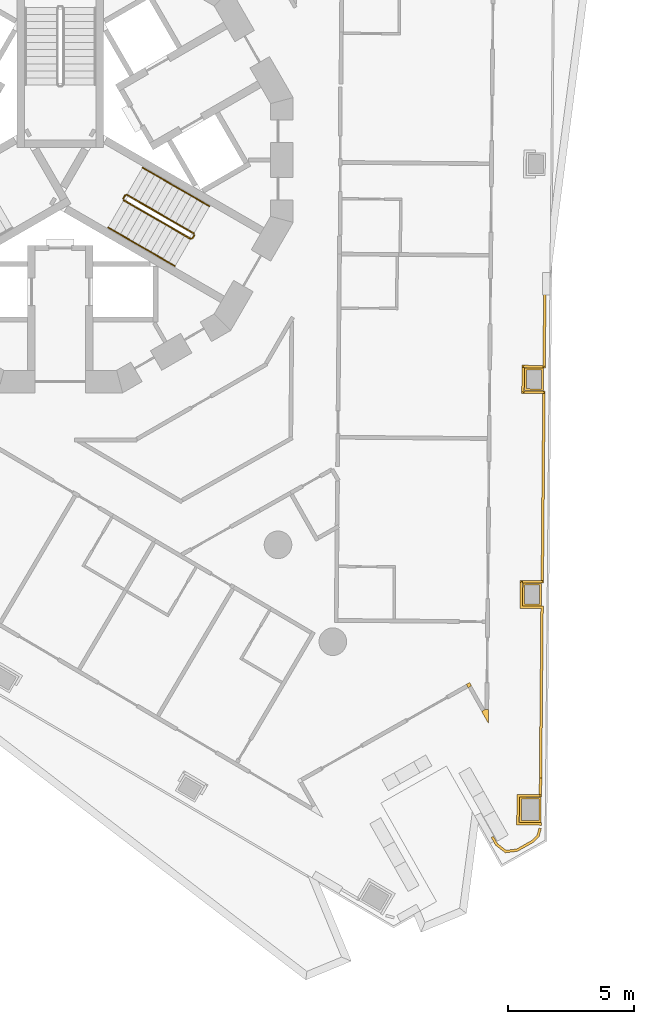
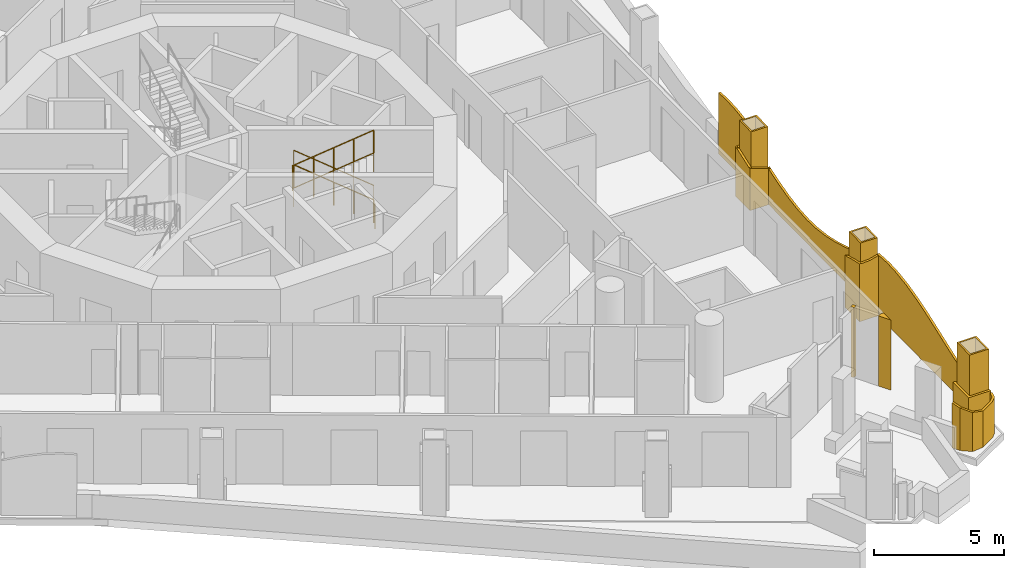
# One storey, part 13 of 18: 10 railings, 5 coverings.
"""IFC4 building model written with IfcOpenShell, lengths in metres."""

from ifc_helpers import new_model, si_unit, direction, frame, origin, origin_2d, place, context, subcontext, project, spatial, polyline, circle, outline, extrude, material, layer, layer_set, type_object, element, save


model = new_model("IFC4")

# Units and contexts
model_context = context("Model", 3, precision=1e-05, world=origin(), true_north=direction((0.0, 1.0)))
body_context = subcontext(model_context, "Body", "Model", "MODEL_VIEW")
ifc_project = project(units=[si_unit("LENGTHUNIT", "METRE"), si_unit("AREAUNIT", "SQUARE_METRE"), si_unit("VOLUMEUNIT", "CUBIC_METRE"), si_unit("PLANEANGLEUNIT", "RADIAN"), si_unit("MASSUNIT", "GRAM", prefix="KILO")], contexts=[model_context])

# Site, building, storey
site_placement = place(None, origin())
site = spatial("IfcSite", under=ifc_project, at=site_placement, CompositionType="ELEMENT")
building_placement = place(site_placement, origin())
building = spatial("IfcBuilding", under=site, at=building_placement, Name="Trine Commons Tower", CompositionType="ELEMENT")
storey_placement = place(building_placement, frame((0.0, 0.0, 161.10009765625)))
storey = spatial("IfcBuildingStorey", under=building, at=storey_placement, Name="L41", CompositionType="ELEMENT", Elevation=161.10009765625)

# Coverings
ifc_material_1 = material(Name="Aluminium-framed insulated wall panel", Category="aluminium")
ifc_layer_1 = layer(ifc_material_1, 0.14990234375)
ifc_layer_set_1 = layer_set([ifc_layer_1], Name="Aluminium-framed insulated wall panel")
covering_type_1 = type_object("IfcCoveringType", Name="Glazing corner post, aluminium", PredefinedType="CLADDING", material=ifc_layer_set_1)
covering_1_placement = place(storey_placement, origin())
element("IfcCovering", 1, at=covering_1_placement, inside=storey, type_object=covering_type_1, Name="Glazing corner post 5-09", PredefinedType="CLADDING", context=body_context, shape_type="SweptSolid", body=[
    extrude(outline(polyline([(96.776611328125, 40.5439453125), (97.05224609375, 40.056640625), (97.05712890625, 40.616455078125), (96.9072265625, 40.617919921875), (96.9072265625, 40.617919921875), (96.776611328125, 40.5439453125)])), origin(), (0.0, 0.0, 1.0), 3.2998046875),
])
covering_2_placement = place(storey_placement, origin())
element("IfcCovering", 2, at=covering_2_placement, inside=storey, type_object=covering_type_1, Name="Glazing corner post 5-10", PredefinedType="CLADDING", context=body_context, shape_type="SweptSolid", body=[
    extrude(outline(polyline([(96.168212890625, 41.619384765625), (96.241943359375, 41.489013671875), (96.37255859375, 41.562744140625), (96.298583984375, 41.693359375), (96.168212890625, 41.619384765625)])), origin(), (0.0, 0.0, 1.0), 3.2998046875),
])
ifc_material_2 = material(Name="Limestone, honed", Category="masonry")
ifc_layer_2 = layer(ifc_material_2, 0.074951171875)
ifc_layer_set_2 = layer_set([ifc_layer_2], Name="Limestone, honed")
covering_type_2 = type_object("IfcCoveringType", Name="Limestone column cladding 75", PredefinedType="CLADDING", material=ifc_layer_set_2)
covering_3_placement = place(storey_placement, origin())
element("IfcCovering", 3, at=covering_3_placement, inside=storey, type_object=covering_type_2, Name="Limestone pier cladding 5-19", PredefinedType="CLADDING", context=body_context, shape_type="SweptSolid", body=[
    extrude(outline(polyline([(99.240966796875, 54.211181640625), (98.490966796875, 54.2177734375), (98.483154296875, 53.31787109375), (99.233154296875, 53.311279296875), (99.240966796875, 54.211181640625)]), holes=[polyline([(99.165283203125, 54.136962890625), (98.565185546875, 54.14208984375), (98.55859375, 53.39208984375), (99.15869140625, 53.386962890625), (99.165283203125, 54.136962890625)])]), origin(), (0.0, 0.0, 1.0), 3.599853515625),
])
covering_4_placement = place(storey_placement, origin())
element("IfcCovering", 4, at=covering_4_placement, inside=storey, type_object=covering_type_2, Name="Limestone pier cladding 5-20", PredefinedType="CLADDING", context=body_context, shape_type="SweptSolid", body=[
    extrude(outline(polyline([(99.166015625, 45.640869140625), (98.416015625, 45.6474609375), (98.408203125, 44.74755859375), (99.158203125, 44.740966796875), (99.166015625, 45.640869140625)]), holes=[polyline([(99.090576171875, 45.566650390625), (98.490478515625, 45.57177734375), (98.48388671875, 44.82177734375), (99.083984375, 44.816650390625), (99.090576171875, 45.566650390625)])]), origin(), (0.0, 0.0, 1.0), 3.599853515625),
])
covering_5_placement = place(storey_placement, origin())
element("IfcCovering", 5, at=covering_5_placement, inside=storey, type_object=covering_type_2, Name="Limestone pier cladding 5-21", PredefinedType="CLADDING", context=body_context, shape_type="SweptSolid", body=[
    extrude(outline(polyline([(99.1416015625, 37.1201171875), (98.291748046875, 37.127685546875), (98.283203125, 36.127685546875), (99.133056640625, 36.1201171875), (99.1416015625, 37.1201171875)]), holes=[polyline([(99.066162109375, 37.0458984375), (98.3662109375, 37.052001953125), (98.358642578125, 36.201904296875), (99.05859375, 36.19580078125), (99.066162109375, 37.0458984375)])]), origin(), (0.0, 0.0, 1.0), 3.599853515625),
])

# Railings
ifc_material_3 = material(Name="Stainless steel balustrade", Category="steel")
railing_type_1 = type_object("IfcRailingType", Name="Stair guard, steel balustrade 1100", PredefinedType="GUARDRAIL", material=ifc_material_3)
railing_1_placement = place(storey_placement, frame((85.31982421875, 59.572998046875, 0.14990234375)))
element("IfcRailing", 6, at=railing_1_placement, inside=storey, type_object=railing_type_1, Name="L41 ST3B stair guard 1", PredefinedType="GUARDRAIL", context=body_context, shape_type="SweptSolid", body=[
    extrude(circle(Radius=0.02392578125, at=origin_2d()), frame((0.0, 0.0, 1.076171875), z_axis=(-0.76340495495, 0.440743040072, 0.472184759798), x_axis=(-0.499992328818, -0.866029832698, 0.0)), (0.0, 0.0, 1.0), 3.494140625),
    extrude(circle(Radius=0.02099609375, at=origin_2d()), origin(), (0.0, 0.0, 1.0), 1.052001953125),
    extrude(circle(Radius=0.02099609375, at=origin_2d()), frame((-0.6669921875, 0.385009765625, 0.41259765625)), (0.0, 0.0, 1.0), 1.052001953125),
    extrude(circle(Radius=0.02099609375, at=origin_2d()), frame((-1.333740234375, 0.77001953125, 0.824951171875)), (0.0, 0.0, 1.0), 1.052001953125),
    extrude(circle(Radius=0.02099609375, at=origin_2d()), frame((-2.00048828125, 1.155029296875, 1.2373046875)), (0.0, 0.0, 1.0), 1.052001953125),
    extrude(circle(Radius=0.02099609375, at=origin_2d()), frame((-2.66748046875, 1.5400390625, 1.64990234375)), (0.0, 0.0, 1.0), 1.052001953125),
])
railing_2_placement = place(storey_placement, frame((82.584228515625, 61.0947265625, 1.7998046875)))
element("IfcRailing", 7, at=railing_2_placement, inside=storey, type_object=railing_type_1, Name="L41 ST3B stair guard 2", PredefinedType="GUARDRAIL", context=body_context, shape_type="SweptSolid", body=[
    extrude(circle(Radius=0.02392578125, at=origin_2d()), frame((0.0, 0.0, 1.076171875), z_axis=(-0.501036270542, -0.865426285481, 0.0), x_axis=(0.865426285481, -0.501036270542, 0.0)), (0.0, 0.0, 1.0), 0.150146484375),
    extrude(circle(Radius=0.02099609375, at=origin_2d()), origin(), (0.0, 0.0, 1.0), 1.052001953125),
    extrude(circle(Radius=0.02099609375, at=origin_2d()), frame((-0.0751953125, -0.1298828125, 0.0)), (0.0, 0.0, 1.0), 1.052001953125),
])
railing_3_placement = place(storey_placement, frame((82.52734375, 60.896484375, 1.949951171875)))
element("IfcRailing", 8, at=railing_3_placement, inside=storey, type_object=railing_type_1, Name="L41 ST3B stair guard 3", PredefinedType="GUARDRAIL", context=body_context, shape_type="SweptSolid", body=[
    extrude(circle(Radius=0.02392578125, at=origin_2d()), frame((0.0, 0.0, 1.076171875), z_axis=(0.76340495495, -0.440743040072, 0.472184759798), x_axis=(0.499992328818, 0.866029832698, 0.0)), (0.0, 0.0, 1.0), 3.494140625),
    extrude(circle(Radius=0.02099609375, at=origin_2d()), origin(), (0.0, 0.0, 1.0), 1.052001953125),
    extrude(circle(Radius=0.02099609375, at=origin_2d()), frame((0.6669921875, -0.385009765625, 0.41259765625)), (0.0, 0.0, 1.0), 1.052001953125),
    extrude(circle(Radius=0.02099609375, at=origin_2d()), frame((1.333740234375, -0.77001953125, 0.824951171875)), (0.0, 0.0, 1.0), 1.052001953125),
    extrude(circle(Radius=0.02099609375, at=origin_2d()), frame((2.00048828125, -1.155029296875, 1.2373046875)), (0.0, 0.0, 1.0), 1.052001953125),
    extrude(circle(Radius=0.02099609375, at=origin_2d()), frame((2.66748046875, -1.5400390625, 1.64990234375)), (0.0, 0.0, 1.0), 1.052001953125),
])
railing_4_placement = place(storey_placement, frame((85.338134765625, 59.504638671875, 0.0)))
element("IfcRailing", 9, at=railing_4_placement, inside=storey, type_object=railing_type_1, Name="L41 ST3B stair guard 4", PredefinedType="GUARDRAIL", context=body_context, shape_type="SweptSolid", body=[
    extrude(circle(Radius=0.02392578125, at=origin_2d()), frame((0.0, 0.0, 1.076171875), z_axis=(-0.499816412211, -0.866131372301, 0.0), x_axis=(0.866131372301, -0.499816412211, 0.0)), (0.0, 0.0, 1.0), 0.14990234375),
    extrude(circle(Radius=0.02099609375, at=origin_2d()), origin(), (0.0, 0.0, 1.0), 1.052001953125),
    extrude(circle(Radius=0.02099609375, at=origin_2d()), frame((-0.074951171875, -0.1298828125, 0.0)), (0.0, 0.0, 1.0), 1.052001953125),
])
ifc_material_4 = material(Name="Stainless steel handrail", Category="steel")
railing_type_2 = type_object("IfcRailingType", Name="Stair handrail, steel 900", PredefinedType="HANDRAIL", material=ifc_material_4)
for number, where, name in (
    (10, (85.94482421875, 60.655517578125, 0.14990234375), "L41 ST3B stair handrail 1"),
    (11, (84.611083984375, 61.425537109375, 0.974853515625), "L41 ST3B stair handrail 2"),
):
    element("IfcRailing", number, at=place(storey_placement, frame(where)), inside=storey, type_object=railing_type_2, Name=name, PredefinedType="HANDRAIL", context=body_context, shape_type="SweptSolid", body=[
        extrude(circle(Radius=0.02099609375, at=origin_2d()), frame((0.0, 0.0, 0.87890625), z_axis=(-0.76340495495, 0.440743040072, 0.472184759798), x_axis=(-0.499992328818, -0.866029832698, 0.0)), (0.0, 0.0, 1.0), 1.7470703125),
        extrude(circle(Radius=0.01513671875, at=origin_2d()), origin(), (0.0, 0.0, 1.0), 0.85791015625),
        extrude(circle(Radius=0.01513671875, at=origin_2d()), frame((-0.6669921875, 0.385009765625, 0.41259765625)), (0.0, 0.0, 1.0), 0.85791015625),
        extrude(circle(Radius=0.01513671875, at=origin_2d()), frame((-1.333740234375, 0.77001953125, 0.824951171875)), (0.0, 0.0, 1.0), 0.85791015625),
    ])
for number, where, name in (
    (12, (81.90234375, 59.81396484375, 1.949951171875), "L41 ST3B stair handrail 3"),
    (13, (83.236083984375, 59.0439453125, 2.77490234375), "L41 ST3B stair handrail 4"),
):
    element("IfcRailing", number, at=place(storey_placement, frame(where)), inside=storey, type_object=railing_type_2, Name=name, PredefinedType="HANDRAIL", context=body_context, shape_type="SweptSolid", body=[
        extrude(circle(Radius=0.02099609375, at=origin_2d()), frame((0.0, 0.0, 0.87890625), z_axis=(0.76340495495, -0.440743040072, 0.472184759798), x_axis=(0.499992328818, 0.866029832698, 0.0)), (0.0, 0.0, 1.0), 1.7470703125),
        extrude(circle(Radius=0.01513671875, at=origin_2d()), origin(), (0.0, 0.0, 1.0), 0.85791015625),
        extrude(circle(Radius=0.01513671875, at=origin_2d()), frame((0.6669921875, -0.385009765625, 0.41259765625)), (0.0, 0.0, 1.0), 0.85791015625),
        extrude(circle(Radius=0.01513671875, at=origin_2d()), frame((1.333740234375, -0.77001953125, 0.824951171875)), (0.0, 0.0, 1.0), 0.85791015625),
    ])
ifc_material_5 = material(Name="White powder-coated aluminium", Category="aluminium")
ifc_layer_3 = layer(ifc_material_5, 0.10009765625)
ifc_layer_set_3 = layer_set([ifc_layer_3], Name="White powder-coated aluminium")
railing_type_3 = type_object("IfcRailingType", Name="White balustrade band 100", PredefinedType="GUARDRAIL", material=ifc_layer_set_3)
railing_5_placement = place(storey_placement, origin())
element("IfcRailing", 14, at=railing_5_placement, inside=storey, type_object=railing_type_3, Name="Guard band L41 18", PredefinedType="GUARDRAIL", context=body_context, shape_type="SweptSolid", body=[
    extrude(outline(polyline([(0.0, 0.0), (2.91943359375, 0.0), (2.91943359375, 2.564208984375), (2.154296875, 2.74658203125), (1.388916015625, 2.862060546875), (0.648193359375, 2.89990234375), (0.623779296875, 2.89990234375), (0.0, 2.864990234375), (0.0, 0.0)])), frame((99.341552734375, 57.138671875, 0.0), z_axis=(-0.999962182314, 0.008696777635, 0.0), x_axis=(-0.008696777635, -0.999962182314, 0.0)), (0.0, 0.0, 1.0), 0.10009765625),
    extrude(outline(polyline([(0.0, 0.0), (0.937255859375, 0.0), (0.937255859375, 2.30810546875), (0.46875, 2.457763671875), (0.0, 2.592041015625), (0.0, 0.0)])), frame((99.31689453125, 54.220458984375, 0.0), z_axis=(0.008856125722, 0.99996078375, 0.0), x_axis=(-0.99996078375, 0.008856125722, 0.0)), (0.0, 0.0, 1.0), 0.10009765625),
    extrude(outline(polyline([(0.0, 0.0), (1.12109375, 0.0), (1.12109375, 1.953857421875), (0.560546875, 2.1513671875), (0.0, 2.341552734375), (0.0, 0.0)])), frame((98.48193359375, 54.328125, 0.0), z_axis=(-0.999962063128, 0.008710470933, 0.0), x_axis=(-0.008710470933, -0.999962063128, 0.0)), (0.0, 0.0, 1.0), 0.10009765625),
    extrude(outline(polyline([(0.0, 0.0), (0.936279296875, 0.0), (0.936279296875, 1.66650390625), (0.46826171875, 1.824951171875), (0.0, 1.989501953125), (0.0, 0.0)])), frame((98.37255859375, 53.308837890625, 0.0), z_axis=(-0.008865362155, -0.999960701905, 0.0), x_axis=(0.999960701905, -0.008865362155, 0.0)), (0.0, 0.0, 1.0), 0.10009765625),
    extrude(outline(polyline([(0.0, 0.0), (7.652099609375, 0.0), (7.652099609375, 2.184326171875), (6.886962890625, 1.9150390625), (6.12158203125, 1.6533203125), (5.3564453125, 1.4228515625), (4.59130859375, 1.244140625), (3.826171875, 1.13330078125), (3.13134765625, 1.099853515625), (3.060791015625, 1.10009765625), (2.295654296875, 1.14794921875), (1.530517578125, 1.2724609375), (0.76513671875, 1.4619140625), (0.0, 1.699951171875), (0.0, 0.0)])), frame((99.30810546875, 53.30126953125, 0.0), z_axis=(-0.999962067001, 0.0087100263, 0.0), x_axis=(-0.0087100263, -0.999962067001, 0.0)), (0.0, 0.0, 1.0), 0.10009765625),
    extrude(outline(polyline([(0.0, 0.0), (0.936767578125, 0.0), (0.93701171875, 2.45849609375), (0.468505859375, 2.30908203125), (0.0, 2.149169921875), (0.0, 0.0)])), frame((99.241943359375, 45.650146484375, 0.0), z_axis=(0.008860741532, 0.999960742859, 0.0), x_axis=(-0.999960742859, 0.008860741532, 0.0)), (0.0, 0.0, 1.0), 0.10009765625),
    extrude(outline(polyline([(0.0, 0.0), (1.121826171875, 0.0), (1.1220703125, 2.724609375), (0.56103515625, 2.590087890625), (0.0, 2.42724609375), (0.0, 0.0)])), frame((98.4072265625, 45.75830078125, 0.0), z_axis=(-0.999962112646, 0.008704784441, 0.0), x_axis=(-0.008704784441, -0.999962112646, 0.0)), (0.0, 0.0, 1.0), 0.10009765625),
    extrude(outline(polyline([(0.0, 0.0), (0.9365234375, 0.0), (0.936767578125, 2.85791015625), (0.46826171875, 2.72998046875), (0.0, 2.70263671875), (0.0, 0.0)])), frame((98.2978515625, 44.738525390625, 0.0), z_axis=(-0.008602392846, -0.999962998734, 0.0), x_axis=(0.999962998734, -0.008602392846, 0.0)), (0.0, 0.0, 1.0), 0.10009765625),
    extrude(outline(polyline([(0.0, 0.0), (7.6025390625, 0.0), (7.6025390625, 1.472412109375), (6.84228515625, 1.37158203125), (6.08203125, 1.58935546875), (5.32177734375, 1.843505859375), (4.5615234375, 2.111328125), (3.80126953125, 2.369384765625), (3.041015625, 2.594482421875), (2.28076171875, 2.76708984375), (1.5205078125, 2.87158203125), (0.881591796875, 2.89990234375), (0.76025390625, 2.89892578125), (0.0, 2.846435546875), (0.0, 0.0)])), frame((99.233154296875, 44.730712890625, 0.0), z_axis=(-0.999962131806, 0.008702583182, 0.0), x_axis=(-0.008702583182, -0.999962131806, 0.0)), (0.0, 0.0, 1.0), 0.10009765625),
    extrude(outline(polyline([(0.0, 0.0), (0.986328125, 0.0), (0.986328125, 1.699951171875), (0.4931640625, 1.651123046875), (0.0, 1.4375), (0.0, 0.0)])), frame((99.16748046875, 37.1298828125, 0.0), z_axis=(0.008663041245, 0.999962475154, 0.0), x_axis=(-0.999962475154, 0.008663041245, 0.0)), (0.0, 0.0, 1.0), 0.10009765625),
    extrude(outline(polyline([(0.0, 0.0), (1.2216796875, 0.0), (1.221435546875, 1.699951171875), (0.61083984375, 1.699951171875), (0.4873046875, 1.699951171875), (0.0, 1.699951171875), (0.0, 0.0)])), frame((98.28271484375, 37.238525390625, 0.0), z_axis=(-0.999963081142, 0.008592808251, 0.0), x_axis=(-0.008592808251, -0.999963081142, 0.0)), (0.0, 0.0, 1.0), 0.10009765625),
    extrude(outline(polyline([(0.0, 0.0), (0.98681640625, 0.0), (0.987060546875, 1.699951171875), (0.493408203125, 1.699951171875), (0.0, 1.699951171875), (0.0, 0.0)])), frame((98.172119140625, 36.11865234375, 0.0), z_axis=(-0.008658755054, -0.999962512278, 0.0), x_axis=(0.999962512278, -0.008658755054, 0.0)), (0.0, 0.0, 1.0), 0.10009765625),
])
railing_6_placement = place(storey_placement, origin())
element("IfcRailing", 15, at=railing_6_placement, inside=storey, type_object=railing_type_3, Name="Guard band L41 19", PredefinedType="GUARDRAIL", context=body_context, shape_type="SweptSolid", body=[
    extrude(outline(polyline([(0.0, 0.0), (0.332275390625, 0.0), (0.33203125, 1.699951171875), (0.0, 1.699951171875), (0.0, 0.0)])), frame((99.15625, 35.875732421875, 0.0), z_axis=(-0.963549492013, 0.267530141184, 0.0), x_axis=(-0.267530141184, -0.963549492013, 0.0)), (0.0, 0.0, 1.0), 0.10009765625),
    extrude(outline(polyline([(0.0, 0.0), (0.33251953125, 0.0), (0.33251953125, 1.699951171875), (0.0, 1.699951171875), (0.0, 0.0)])), frame((99.068115234375, 35.557373046875, 0.0), z_axis=(-0.701208385916, 0.712956379816, 0.0), x_axis=(-0.712956379816, -0.701208385916, 0.0)), (0.0, 0.0, 1.0), 0.10009765625),
    extrude(outline(polyline([(0.0, 0.0), (0.720947265625, 0.0), (0.720947265625, 1.699951171875), (0.0, 1.699951171875), (0.0, 0.0)])), frame((98.83251953125, 35.325439453125, 0.0), z_axis=(-0.492414314288, 0.870360926906, 0.0), x_axis=(-0.870360926906, -0.492414314288, 0.0)), (0.0, 0.0, 1.0), 0.10009765625),
    extrude(outline(polyline([(0.0, 0.0), (0.49169921875, 0.0), (0.491455078125, 1.84326171875), (0.0, 1.699951171875), (0.0, 0.0)])), frame((98.207275390625, 34.971435546875, 0.0), z_axis=(-0.122140152225, 0.992512862997, 0.0), x_axis=(-0.992512862997, -0.122140152225, 0.0)), (0.0, 0.0, 1.0), 0.10009765625),
    extrude(outline(polyline([(0.0, 0.0), (0.4912109375, 0.0), (0.4912109375, 2.001220703125), (0.0, 1.82861328125), (0.0, 0.0)])), frame((97.720458984375, 34.9111328125, 0.0), z_axis=(0.615316055121, 0.788280503571, 0.0), x_axis=(-0.788280503571, 0.615316055121, 0.0)), (0.0, 0.0, 1.0), 0.10009765625),
    extrude(outline(polyline([(0.0, 0.0), (0.356201171875, 0.0), (0.356201171875, 2.118408203125), (0.0, 1.99365234375), (0.0, 0.0)])), frame((97.334228515625, 35.212646484375, 0.0), z_axis=(0.87051176956, 0.492147598854, 0.0), x_axis=(-0.492147598854, 0.87051176956, 0.0)), (0.0, 0.0, 1.0), 0.10009765625),
])

save(model, "model.ifc")
